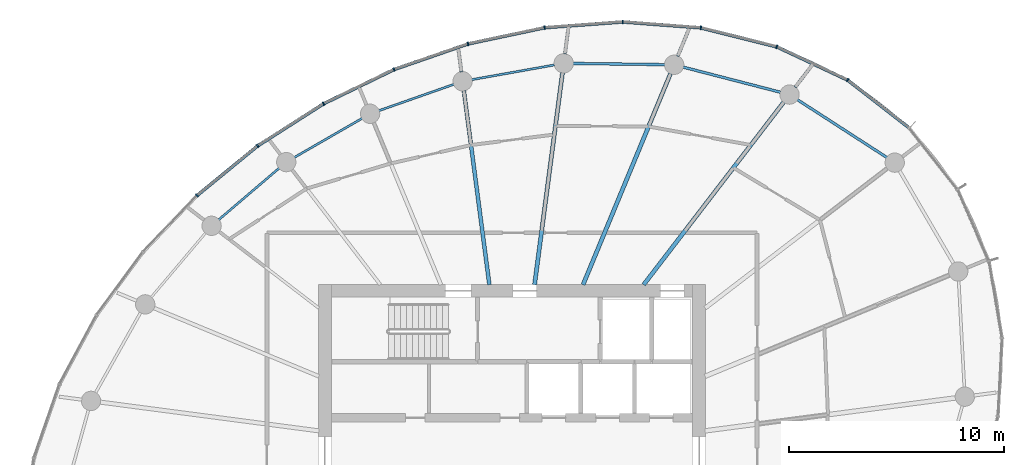
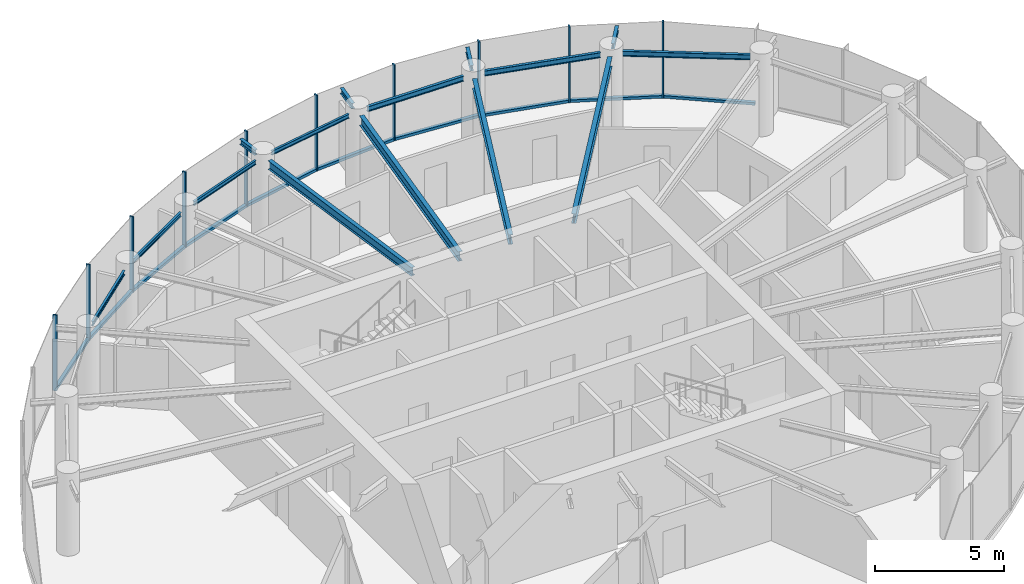
# One storey, part 6 of 14: 20 members, 15 beams, 2 elements without a shape of their own.
"""IFC4 building model written with IfcOpenShell, lengths in metres."""

import ifcopenshell
import ifcopenshell.guid

model = None  # the IFC model being written
_history = None  # IfcOwnerHistory: only IFC2X3 demands one
_inside = {}  # id of a spatial element -> (the spatial element, [elements in it])
_under = {}  # id of a project, library or spatial element -> (it, [spatial elements below it])
_declared = {}  # id of a project -> (the project, [libraries it declares])
_typed = {}  # id of a type object -> (the type object, [elements of that type])
_made_of = {}  # id of a material, layer set ... -> (it, [elements and type objects made of it])


def new_model(schema):
    """Start an empty IFC model of exactly this schema.

    Asked for "IFC4X3", IfcOpenShell would pick the latest addendum, in which some entities
    have other attributes; the version numbers below select the first issue.
    IFC2X3 requires an IfcOwnerHistory on every rooted entity: one is made here for all.
    """
    global model, _history
    if schema == "IFC4X3":
        model = ifcopenshell.file(schema_version=(4, 3, 0, 0))
    else:
        model = ifcopenshell.file(schema=schema)
    _inside.clear()
    _under.clear()
    _declared.clear()
    _typed.clear()
    _made_of.clear()
    _history = None
    if model.schema == "IFC2X3":
        org = make("IfcOrganization", Name="unknown")
        user = make(
            "IfcPersonAndOrganization",
            ThePerson=make("IfcPerson", FamilyName="unknown"),
            TheOrganization=org,
        )
        app = make(
            "IfcApplication",
            ApplicationDeveloper=org,
            Version="unknown",
            ApplicationFullName="unknown",
            ApplicationIdentifier="unknown",
        )
        _history = make(
            "IfcOwnerHistory",
            OwningUser=user,
            OwningApplication=app,
            ChangeAction="ADDED",
            CreationDate=0,
        )
    return model


def make(cls, **values):
    """One entity of the class cls with the attributes given. An attribute that is None is left unset."""
    return model.create_entity(
        cls, **{name: value for name, value in values.items() if value is not None}
    )


def rooted(cls, **values):
    """An entity with a GlobalId (a new one), such as an element, a storey or a relation."""
    return make(cls, GlobalId=ifcopenshell.guid.new(), OwnerHistory=_history, **values)


def si_unit(unit_type, name, prefix=None):
    """IfcSIUnit, for example si_unit("LENGTHUNIT", "METRE", prefix="MILLI")."""
    return make("IfcSIUnit", UnitType=unit_type, Prefix=prefix, Name=name)


def assignment(units):
    """IfcUnitAssignment: the units of a project."""
    return None if units is None else make("IfcUnitAssignment", Units=units)


def point(xyz):
    """IfcCartesianPoint."""
    return None if xyz is None else make("IfcCartesianPoint", Coordinates=xyz)


def direction(xyz):
    """IfcDirection."""
    return None if xyz is None else make("IfcDirection", DirectionRatios=xyz)


def frame(location, z_axis=None, x_axis=None):
    """IfcAxis2Placement3D, a coordinate frame: its origin and axes. An axis left out is left unset."""
    return make(
        "IfcAxis2Placement3D",
        Location=point(location),
        Axis=direction(z_axis),
        RefDirection=direction(x_axis),
    )


def frame_2d(location, x_axis=None):
    """IfcAxis2Placement2D, a coordinate frame in the plane: its origin and x axis."""
    return make(
        "IfcAxis2Placement2D", Location=point(location), RefDirection=direction(x_axis)
    )


def origin():
    """The frame at (0, 0, 0) with its axes left unset."""
    return frame((0.0, 0.0, 0.0))


def origin_2d():
    """The frame at (0, 0) in the plane with its x axis left unset."""
    return frame_2d((0.0, 0.0))


def place(relative_to, where):
    """IfcLocalPlacement: puts the frame where relative to a parent placement (None: the world)."""
    return make(
        "IfcLocalPlacement", PlacementRelTo=relative_to, RelativePlacement=where
    )


def context(
    kind, dimensions, precision=None, world=None, true_north=None, identifier=None
):
    """IfcGeometricRepresentationContext, for example the 3D "Model" context."""
    return make(
        "IfcGeometricRepresentationContext",
        ContextIdentifier=identifier,
        ContextType=kind,
        CoordinateSpaceDimension=dimensions,
        Precision=precision,
        WorldCoordinateSystem=world,
        TrueNorth=true_north,
    )


def subcontext(parent, identifier, kind, view, scale=None):
    """IfcGeometricRepresentationSubContext, for example "Body" below "Model"."""
    return make(
        "IfcGeometricRepresentationSubContext",
        ContextIdentifier=identifier,
        ContextType=kind,
        ParentContext=parent,
        TargetScale=scale,
        TargetView=view,
    )


def project(units=None, contexts=None):
    """IfcProject with its units and contexts."""
    return rooted(
        "IfcProject",
        Name="project",
        RepresentationContexts=contexts,
        UnitsInContext=assignment(units),
    )


def spatial(cls, under=None, at=None, **own):
    """A site, building, storey or space (cls), placed at a placement, below another one or the project."""
    s = rooted(cls, ObjectPlacement=at, **own)
    if under is not None:
        _under.setdefault(under.id(), (under, []))[1].append(s)
    return s


def profile(cls, at=None, kind="AREA", **sizes):
    """A parametric profile (cls). Its sizes go by their IFC names, for example OverallWidth=200.0."""
    return make(cls, ProfileType=kind, Position=at, **sizes)


def rectangle(**sizes):
    """IfcRectangleProfileDef."""
    return profile("IfcRectangleProfileDef", **sizes)


def i_section(**sizes):
    """IfcIShapeProfileDef."""
    return profile("IfcIShapeProfileDef", **sizes)


def extrude(swept, where, along, depth):
    """IfcExtrudedAreaSolid: the profile swept, set in the frame where, extruded along a direction by depth."""
    return make(
        "IfcExtrudedAreaSolid",
        SweptArea=swept,
        Position=where,
        ExtrudedDirection=direction(along),
        Depth=depth,
    )


def shape(context_of_items, identifier, shape_type, items):
    """IfcShapeRepresentation: the items that make up one representation, for example the "Body"."""
    return make(
        "IfcShapeRepresentation",
        ContextOfItems=context_of_items,
        RepresentationIdentifier=identifier,
        RepresentationType=shape_type,
        Items=items,
    )


def source(mapping_origin, context_of_items, identifier, shape_type, items):
    """IfcRepresentationMap: a shape defined once, which mapped items show again and again."""
    return make(
        "IfcRepresentationMap",
        MappingOrigin=mapping_origin,
        MappedRepresentation=shape(context_of_items, identifier, shape_type, items),
    )


def transform(
    local_origin,
    x_axis=None,
    y_axis=None,
    z_axis=None,
    scale=None,
    scale2=None,
    scale3=None,
    uniform=True,
):
    """IfcCartesianTransformationOperator3D, or its non-uniform kind. x_axis, y_axis, z_axis: its Axis1, 2, 3."""
    if uniform:
        return make(
            "IfcCartesianTransformationOperator3D",
            Axis1=direction(x_axis),
            Axis2=direction(y_axis),
            LocalOrigin=point(local_origin),
            Scale=scale,
            Axis3=direction(z_axis),
        )
    return make(
        "IfcCartesianTransformationOperator3DnonUniform",
        Axis1=direction(x_axis),
        Axis2=direction(y_axis),
        LocalOrigin=point(local_origin),
        Scale=scale,
        Axis3=direction(z_axis),
        Scale2=scale2,
        Scale3=scale3,
    )


def mapped(mapping_source, mapping_target):
    """IfcMappedItem: shows the shape of a source again, moved by a transform."""
    return make(
        "IfcMappedItem", MappingSource=mapping_source, MappingTarget=mapping_target
    )


def material(Name=None, Category=None):
    """IfcMaterial."""
    return make("IfcMaterial", Name=Name, Category=Category)


def layer(
    of_material, thickness, ventilated=None, Name=None, Category=None, Priority=None
):
    """IfcMaterialLayer: one layer of a wall or slab, of a material (None: an air gap)."""
    return make(
        "IfcMaterialLayer",
        Material=of_material,
        LayerThickness=thickness,
        IsVentilated=ventilated,
        Name=Name,
        Category=Category,
        Priority=Priority,
    )


def layer_set(layers, Name=None):
    """IfcMaterialLayerSet."""
    return make("IfcMaterialLayerSet", MaterialLayers=layers, LayerSetName=Name)


def material_profile(
    of_material, cross_section, Name=None, Category=None, Priority=None
):
    """IfcMaterialProfile: a cross section and its material."""
    return make(
        "IfcMaterialProfile",
        Name=Name,
        Material=of_material,
        Profile=cross_section,
        Priority=Priority,
        Category=Category,
    )


def profile_set(profiles, Name=None, composite=None):
    """IfcMaterialProfileSet."""
    return make(
        "IfcMaterialProfileSet",
        Name=Name,
        MaterialProfiles=profiles,
        CompositeProfile=composite,
    )


def made_of(thing, what):
    """Note that an element or type object is made of a material, layer set ...; save() writes the relation."""
    if what is not None:
        _made_of.setdefault(what.id(), (what, []))[1].append(thing)
    return thing


def type_object(cls, material=None, **own):
    """A type object (cls), such as IfcWallType, which elements share."""
    return made_of(rooted(cls, **own), material)


def element(
    cls,
    number,
    at=None,
    inside=None,
    cuts=None,
    type_object=None,
    material=None,
    context=None,
    identifier="Body",
    shape_type=None,
    held_by="IfcProductDefinitionShape",
    body=None,
    shapes=None,
    **own,
):
    """One element of the class cls, such as IfcWall. Its Tag is "e" and its number.

    at: its placement. inside: the storey or other place that contains it. cuts: it is an
    opening in that element (IfcRelVoidsElement). A single representation is given by context,
    identifier, shape_type and body (its items); several are given by shapes. held_by: the class
    of the entity that holds the representations. save() writes the other relations.
    """
    e = rooted(cls, Tag="e%d" % number, ObjectPlacement=at, **own)
    if body is not None:
        shapes = [shape(context, identifier, shape_type, body)]
    if shapes is not None:
        e.Representation = make(held_by, Representations=shapes)
    if inside is not None:
        _inside.setdefault(inside.id(), (inside, []))[1].append(e)
    if cuts is not None:
        rooted(
            "IfcRelVoidsElement", RelatingBuildingElement=cuts, RelatedOpeningElement=e
        )
    if type_object is not None:
        _typed.setdefault(type_object.id(), (type_object, []))[1].append(e)
    return made_of(e, material)


def aggregate(whole, parts):
    """IfcRelAggregates: a whole, such as a stair, and the parts it consists of."""
    return rooted("IfcRelAggregates", RelatingObject=whole, RelatedObjects=parts)


def save(model, path):
    """Write the relations noted so far, then the file.

    IfcRelAggregates (storeys below a building ...), IfcRelContainedInSpatialStructure (elements
    in a storey), IfcRelDefinesByType, IfcRelAssociatesMaterial and IfcRelDeclares: one each for
    every whole, place, type object, material and project.
    """
    for whole, parts in _under.values():
        aggregate(whole, parts)
    for where, things in _inside.values():
        rooted(
            "IfcRelContainedInSpatialStructure",
            RelatedElements=things,
            RelatingStructure=where,
        )
    for kind, things in _typed.values():
        rooted("IfcRelDefinesByType", RelatedObjects=things, RelatingType=kind)
    for what, things in _made_of.values():
        rooted("IfcRelAssociatesMaterial", RelatedObjects=things, RelatingMaterial=what)
    for by, libraries in _declared.values():
        rooted("IfcRelDeclares", RelatingContext=by, RelatedDefinitions=libraries)
    model.write(path)


model = new_model("IFC4")

# Units and contexts
model_context = context("Model", 3, precision=1e-05, world=origin(), true_north=direction((0.0, 1.0)))
body_context = subcontext(model_context, "Body", "Model", "MODEL_VIEW")
ifc_project = project(units=[si_unit("LENGTHUNIT", "METRE"), si_unit("AREAUNIT", "SQUARE_METRE"), si_unit("VOLUMEUNIT", "CUBIC_METRE"), si_unit("PLANEANGLEUNIT", "RADIAN"), si_unit("MASSUNIT", "GRAM", prefix="KILO")], contexts=[model_context])

# Site, building, storey
site_placement = place(None, origin())
site = spatial("IfcSite", under=ifc_project, at=site_placement, CompositionType="ELEMENT")
building_placement = place(site_placement, origin())
building = spatial("IfcBuilding", under=site, at=building_placement, Name="Spindrift Exchange Tower", CompositionType="ELEMENT")
storey_placement = place(building_placement, frame((0.0, 0.0, 207.199951171875)))
storey = spatial("IfcBuildingStorey", under=building, at=storey_placement, Name="L50", CompositionType="ELEMENT", Elevation=207.199951171875)

# Beams
ifc_material_1 = material(Name="Steel Grade 300", Category="steel")
ifc_material_profile_1 = material_profile(ifc_material_1, i_section(OverallWidth=0.18994140625, OverallDepth=0.4541015625, WebThickness=0.008544921875, FlangeThickness=0.0126953125, FilletRadius=0.013916015625, at=origin_2d()), Name="460UB67.1")
ifc_profile_set_1 = profile_set([ifc_material_profile_1], Name="Steel Grade 300")
beam_type_1 = type_object("IfcBeamType", Name="Floor Beam 460UB67.1 Steel Grade 300", PredefinedType="BEAM", material=ifc_profile_set_1)
shared_shape_1 = source(origin(), body_context, "Body", "SweptSolid", [
    extrude(i_section(OverallWidth=0.18994140625, OverallDepth=0.4541015625, WebThickness=0.008544921875, FlangeThickness=0.0126953125, FilletRadius=0.013916015625, at=origin_2d()), origin(), (0.0, 0.0, 1.0), 10.711181640625),
])
beam_1_placement = place(storey_placement, frame((58.12646484375, 55.984130859375, 3.35302734375), z_axis=(0.608756401092, 0.793357198322, 0.0), x_axis=(-0.793357198322, 0.608756401092, 0.0)))
element("IfcBeam", 1, at=beam_1_placement, inside=storey, type_object=beam_type_1, Name="L50 radial beam R04A", PredefinedType="BEAM", context=body_context, shape_type="MappedRepresentation", body=[
    mapped(shared_shape_1, transform((0.0, 0.0, 0.0), scale=1.0)),
])
shared_shape_2 = source(origin(), body_context, "Body", "SweptSolid", [
    extrude(i_section(OverallWidth=0.18994140625, OverallDepth=0.4541015625, WebThickness=0.008544921875, FlangeThickness=0.0126953125, FilletRadius=0.013916015625, at=origin_2d()), origin(), (0.0, 0.0, 1.0), 10.64111328125),
])
beam_2_placement = place(storey_placement, frame((55.30615234375, 55.9814453125, 3.35302734375), z_axis=(0.382672627597, 0.923884007919, 0.0), x_axis=(-0.923884007919, 0.382672627597, 0.0)))
element("IfcBeam", 2, at=beam_2_placement, inside=storey, type_object=beam_type_1, Name="L50 radial beam R05A", PredefinedType="BEAM", context=body_context, shape_type="MappedRepresentation", body=[
    mapped(shared_shape_2, transform((0.0, 0.0, 0.0), scale=1.0)),
])
shared_shape_3 = source(origin(), body_context, "Body", "SweptSolid", [
    extrude(i_section(OverallWidth=0.18994140625, OverallDepth=0.4541015625, WebThickness=0.008544921875, FlangeThickness=0.0126953125, FilletRadius=0.013916015625, at=origin_2d()), origin(), (0.0, 0.0, 1.0), 9.95703125),
])
beam_3_placement = place(storey_placement, frame((53.050537109375, 55.980224609375, 3.35302734375), z_axis=(0.130541406635, 0.991442858239, 0.0), x_axis=(-0.991442858239, 0.130541406635, 0.0)))
element("IfcBeam", 3, at=beam_3_placement, inside=storey, type_object=beam_type_1, Name="L50 radial beam R06A", PredefinedType="BEAM", context=body_context, shape_type="MappedRepresentation", body=[
    mapped(shared_shape_3, transform((0.0, 0.0, 0.0), scale=1.0)),
])
ifc_material_profile_2 = material_profile(ifc_material_1, i_section(OverallWidth=0.177978515625, OverallDepth=0.403076171875, WebThickness=0.007568359375, FlangeThickness=0.010986328125, FilletRadius=0.013916015625, at=origin_2d()), Name="410UB53.7")
ifc_profile_set_2 = profile_set([ifc_material_profile_2], Name="Steel Grade 300")
beam_type_2 = type_object("IfcBeamType", Name="Floor Beam 410UB53.7 Steel Grade 300", PredefinedType="BEAM", material=ifc_profile_set_2)
shared_shape_4 = source(origin(), body_context, "Body", "SweptSolid", [
    extrude(i_section(OverallWidth=0.177978515625, OverallDepth=0.403076171875, WebThickness=0.007568359375, FlangeThickness=0.010986328125, FilletRadius=0.013916015625, at=origin_2d()), origin(), (0.0, 0.0, 1.0), 9.11376953125),
])
beam_4_placement = place(storey_placement, frame((50.949462890625, 55.980224609375, 3.378662109375), z_axis=(-0.130536972606, 0.991443442049, 0.0), x_axis=(-0.991443442049, -0.130536972606, 0.0)))
element("IfcBeam", 4, at=beam_4_placement, inside=storey, type_object=beam_type_2, Name="L50 radial beam R07A", PredefinedType="BEAM", context=body_context, shape_type="MappedRepresentation", body=[
    mapped(shared_shape_4, transform((0.0, 0.0, 0.0), scale=1.0)),
])
ifc_material_profile_3 = material_profile(ifc_material_1, i_section(OverallWidth=0.1240234375, OverallDepth=0.248046875, WebThickness=0.0048828125, FlangeThickness=0.008056640625, FilletRadius=0.011962890625, at=origin_2d()), Name="250UB25.7")
ifc_profile_set_3 = profile_set([ifc_material_profile_3], Name="Steel Grade 300")
beam_type_3 = type_object("IfcBeamType", Name="Edge Beam 250UB25.7 Steel Grade 300", PredefinedType="SPANDREL", material=ifc_profile_set_3)
shared_shape_5 = source(origin(), body_context, "Body", "SweptSolid", [
    extrude(i_section(OverallWidth=0.1240234375, OverallDepth=0.248046875, WebThickness=0.0048828125, FlangeThickness=0.008056640625, FilletRadius=0.011962890625, at=origin_2d()), origin(), (0.0, 0.0, 1.0), 4.966552734375),
])
beam_5_placement = place(storey_placement, frame((69.44091796875, 61.893310546875, 3.4560546875), z_axis=(-0.839802198579, 0.54289250065, 0.0), x_axis=(-0.54289250065, -0.839802198579, 0.0)))
element("IfcBeam", 5, at=beam_5_placement, inside=storey, type_object=beam_type_3, Name="L50 edge beam E03", PredefinedType="SPANDREL", context=body_context, shape_type="MappedRepresentation", body=[
    mapped(shared_shape_5, transform((0.0, 0.0, 0.0), scale=1.0)),
])
shared_shape_6 = source(origin(), body_context, "Body", "SweptSolid", [
    extrude(i_section(OverallWidth=0.1240234375, OverallDepth=0.248046875, WebThickness=0.0048828125, FlangeThickness=0.008056640625, FilletRadius=0.011962890625, at=origin_2d()), origin(), (0.0, 0.0, 1.0), 4.682373046875),
])
beam_6_placement = place(storey_placement, frame((64.492431640625, 64.9306640625, 3.4560546875), z_axis=(-0.968201586176, 0.250171318352, 0.0), x_axis=(-0.250171318352, -0.968201586176, 0.0)))
element("IfcBeam", 6, at=beam_6_placement, inside=storey, type_object=beam_type_3, Name="L50 edge beam E04", PredefinedType="SPANDREL", context=body_context, shape_type="MappedRepresentation", body=[
    mapped(shared_shape_6, transform((0.0, 0.0, 0.0), scale=1.0)),
])
shared_shape_7 = source(origin(), body_context, "Body", "SweptSolid", [
    extrude(i_section(OverallWidth=0.1240234375, OverallDepth=0.248046875, WebThickness=0.0048828125, FlangeThickness=0.008056640625, FilletRadius=0.011962890625, at=origin_2d()), origin(), (0.0, 0.0, 1.0), 4.27685546875),
])
beam_7_placement = place(storey_placement, frame((59.11279296875, 66.21533203125, 3.4560546875), z_axis=(-0.999910013527, 0.013415097807, 0.0), x_axis=(-0.013415097807, -0.999910013527, 0.0)))
element("IfcBeam", 7, at=beam_7_placement, inside=storey, type_object=beam_type_3, Name="L50 edge beam E05", PredefinedType="SPANDREL", context=body_context, shape_type="MappedRepresentation", body=[
    mapped(shared_shape_7, transform((0.0, 0.0, 0.0), scale=1.0)),
])
ifc_material_profile_4 = material_profile(ifc_material_1, i_section(OverallWidth=0.09912109375, OverallDepth=0.197998046875, WebThickness=0.00439453125, FlangeThickness=0.007080078125, FilletRadius=0.010986328125, at=origin_2d()), Name="200UB18.2")
ifc_profile_set_4 = profile_set([ifc_material_profile_4], Name="Steel Grade 300")
beam_type_4 = type_object("IfcBeamType", Name="Edge Beam 200UB18.2 Steel Grade 300", PredefinedType="SPANDREL", material=ifc_profile_set_4)
shared_shape_8 = source(origin(), body_context, "Body", "SweptSolid", [
    extrude(i_section(OverallWidth=0.09912109375, OverallDepth=0.197998046875, WebThickness=0.00439453125, FlangeThickness=0.007080078125, FilletRadius=0.010986328125, at=origin_2d()), origin(), (0.0, 0.0, 1.0), 3.916259765625),
])
beam_8_placement = place(storey_placement, frame((53.98291015625, 66.203125, 3.48095703125), z_axis=(-0.984558687682, -0.175054821441, 0.0), x_axis=(0.175054821441, -0.984558687682, 0.0)))
element("IfcBeam", 8, at=beam_8_placement, inside=storey, type_object=beam_type_4, Name="L50 edge beam E06", PredefinedType="SPANDREL", context=body_context, shape_type="MappedRepresentation", body=[
    mapped(shared_shape_8, transform((0.0, 0.0, 0.0), scale=1.0)),
])
shared_shape_9 = source(origin(), body_context, "Body", "SweptSolid", [
    extrude(i_section(OverallWidth=0.09912109375, OverallDepth=0.197998046875, WebThickness=0.00439453125, FlangeThickness=0.007080078125, FilletRadius=0.010986328125, at=origin_2d()), origin(), (0.0, 0.0, 1.0), 3.700439453125),
])
beam_9_placement = place(storey_placement, frame((49.298095703125, 65.300048828125, 3.48095703125), z_axis=(-0.943515334916, -0.331328858957, 0.0), x_axis=(0.331328858957, -0.943515334916, 0.0)))
element("IfcBeam", 9, at=beam_9_placement, inside=storey, type_object=beam_type_4, Name="L50 edge beam E07", PredefinedType="SPANDREL", context=body_context, shape_type="MappedRepresentation", body=[
    mapped(shared_shape_9, transform((0.0, 0.0, 0.0), scale=1.0)),
])
shared_shape_10 = source(origin(), body_context, "Body", "SweptSolid", [
    extrude(i_section(OverallWidth=0.09912109375, OverallDepth=0.197998046875, WebThickness=0.00439453125, FlangeThickness=0.007080078125, FilletRadius=0.010986328125, at=origin_2d()), origin(), (0.0, 0.0, 1.0), 3.64208984375),
])
beam_10_placement = place(storey_placement, frame((45.028564453125, 63.716552734375, 3.48095703125), z_axis=(-0.866364093123, -0.499412913476, 0.0), x_axis=(0.499412913476, -0.866364093123, 0.0)))
element("IfcBeam", 10, at=beam_10_placement, inside=storey, type_object=beam_type_4, Name="L50 edge beam E08", PredefinedType="SPANDREL", context=body_context, shape_type="MappedRepresentation", body=[
    mapped(shared_shape_10, transform((0.0, 0.0, 0.0), scale=1.0)),
])
shared_shape_11 = source(origin(), body_context, "Body", "SweptSolid", [
    extrude(i_section(OverallWidth=0.09912109375, OverallDepth=0.197998046875, WebThickness=0.00439453125, FlangeThickness=0.007080078125, FilletRadius=0.010986328125, at=origin_2d()), origin(), (0.0, 0.0, 1.0), 3.703857421875),
])
beam_11_placement = place(storey_placement, frame((41.173583984375, 61.40380859375, 3.48095703125), z_axis=(-0.7606692863, -0.64913961278, 0.0), x_axis=(0.64913961278, -0.7606692863, 0.0)))
element("IfcBeam", 11, at=beam_11_placement, inside=storey, type_object=beam_type_4, Name="L50 edge beam E09", PredefinedType="SPANDREL", context=body_context, shape_type="MappedRepresentation", body=[
    mapped(shared_shape_11, transform((0.0, 0.0, 0.0), scale=1.0)),
])
ifc_material_profile_5 = material_profile(ifc_material_1, i_section(OverallWidth=0.14599609375, OverallDepth=0.251953125, WebThickness=0.006103515625, FlangeThickness=0.008544921875, FilletRadius=0.011962890625, at=origin_2d()), Name="250UB31.4")
ifc_profile_set_5 = profile_set([ifc_material_profile_5], Name="Steel Grade 300")
beam_type_5 = type_object("IfcBeamType", Name="Cantilever Beam 250UB31.4 Steel Grade 300", PredefinedType="BEAM", material=ifc_profile_set_5)
shared_shape_12 = source(origin(), body_context, "Body", "SweptSolid", [
    extrude(i_section(OverallWidth=0.14599609375, OverallDepth=0.251953125, WebThickness=0.006103515625, FlangeThickness=0.008544921875, FilletRadius=0.011962890625, at=origin_2d()), origin(), (0.0, 0.0, 1.0), 1.241455078125),
])
beam_12_placement = place(storey_placement, frame((65.170654296875, 65.164306640625, 3.4541015625), z_axis=(0.608712274702, 0.793391055298, 0.0), x_axis=(-0.793391055298, 0.608712274702, 0.0)))
element("IfcBeam", 12, at=beam_12_placement, inside=storey, type_object=beam_type_5, Name="L50 cantilever beam R04T", PredefinedType="BEAM", context=body_context, shape_type="MappedRepresentation", body=[
    mapped(shared_shape_12, transform((0.0, 0.0, 0.0), scale=1.0)),
])
shared_shape_13 = source(origin(), body_context, "Body", "SweptSolid", [
    extrude(i_section(OverallWidth=0.14599609375, OverallDepth=0.251953125, WebThickness=0.006103515625, FlangeThickness=0.008544921875, FilletRadius=0.011962890625, at=origin_2d()), origin(), (0.0, 0.0, 1.0), 1.282958984375),
])
beam_13_placement = place(storey_placement, frame((59.707275390625, 66.60693359375, 3.4541015625), z_axis=(0.382682320503, 0.923879993059, 0.0), x_axis=(-0.923879993059, 0.382682320503, 0.0)))
element("IfcBeam", 13, at=beam_13_placement, inside=storey, type_object=beam_type_5, Name="L50 cantilever beam R05T", PredefinedType="BEAM", context=body_context, shape_type="MappedRepresentation", body=[
    mapped(shared_shape_13, transform((0.0, 0.0, 0.0), scale=1.0)),
])
shared_shape_14 = source(origin(), body_context, "Body", "SweptSolid", [
    extrude(i_section(OverallWidth=0.14599609375, OverallDepth=0.251953125, WebThickness=0.006103515625, FlangeThickness=0.008544921875, FilletRadius=0.011962890625, at=origin_2d()), origin(), (0.0, 0.0, 1.0), 1.15380859375),
])
beam_14_placement = place(storey_placement, frame((54.46240234375, 66.70458984375, 3.4541015625), z_axis=(0.130542080409, 0.991442769525, 0.0), x_axis=(-0.991442769525, 0.130542080409, 0.0)))
element("IfcBeam", 14, at=beam_14_placement, inside=storey, type_object=beam_type_5, Name="L50 cantilever beam R06T", PredefinedType="BEAM", context=body_context, shape_type="MappedRepresentation", body=[
    mapped(shared_shape_14, transform((0.0, 0.0, 0.0), scale=1.0)),
])
shared_shape_15 = source(origin(), body_context, "Body", "SweptSolid", [
    extrude(i_section(OverallWidth=0.14599609375, OverallDepth=0.251953125, WebThickness=0.006103515625, FlangeThickness=0.008544921875, FilletRadius=0.011962890625, at=origin_2d()), origin(), (0.0, 0.0, 1.0), 0.9619140625),
])
beam_15_placement = place(storey_placement, frame((49.6474609375, 65.868896484375, 3.4541015625), z_axis=(-0.130467644579, 0.991452567558, 0.0), x_axis=(-0.991452567558, -0.130467644579, 0.0)))
element("IfcBeam", 15, at=beam_15_placement, inside=storey, type_object=beam_type_5, Name="L50 cantilever beam R07T", PredefinedType="BEAM", context=body_context, shape_type="MappedRepresentation", body=[
    mapped(shared_shape_15, transform((0.0, 0.0, 0.0), scale=1.0)),
])

# Curtain wall, members
ifc_material_2 = material(Name="Fritted laminated glass with bronze frame", Category="glass")
ifc_layer = layer(ifc_material_2, 0.169921875)
ifc_layer_set = layer_set([ifc_layer], Name="ZONE 4 BRONZE FRITTED WALL")
curtain_wall_type = type_object("IfcCurtainWallType", Name="ZONE 4 BRONZE FRITTED WALL", PredefinedType="NOTDEFINED", material=ifc_layer_set)
curtain_wall_1_placement = place(storey_placement, origin())
curtain_wall_1 = element("IfcCurtainWall", 16, at=curtain_wall_1_placement, inside=storey, type_object=curtain_wall_type, Name="L50 Zone 4 Bronze Fritted Wall run 2", PredefinedType="NOTDEFINED")
ifc_material_3 = material(Name="Bronze anodised aluminium", Category="aluminium")
ifc_material_profile_6 = material_profile(ifc_material_3, rectangle(XDim=0.14990234375, YDim=0.125, at=origin_2d()), Name="ZONE 4 BRONZE FRITTED WALL TRANSOM 150X125")
ifc_profile_set_6 = profile_set([ifc_material_profile_6], Name="Bronze anodised aluminium")
member_type_1 = type_object("IfcMemberType", Name="ZONE 4 BRONZE FRITTED WALL TRANSOM 150X125", PredefinedType="USERDEFINED", material=ifc_profile_set_6)
shared_shape_16 = source(origin(), body_context, "Body", "SweptSolid", [
    extrude(rectangle(XDim=0.14990234375, YDim=0.125, at=origin_2d()), origin(), (0.0, 0.0, 1.0), 3.57763671875),
])
member_1_placement = place(storey_placement, frame((49.925537109375, 67.174072265625, 0.0625), z_axis=(-0.944905726634, -0.327342584723, 0.0), x_axis=(0.327342584723, -0.944905726634, 0.0)))
member_1 = element("IfcMember", 17, at=member_1_placement, type_object=member_type_1, Name="L50 transom CW-4.8", ObjectType="TRANSOM", PredefinedType="USERDEFINED", context=body_context, shape_type="MappedRepresentation", body=[
    mapped(shared_shape_16, transform((0.0, 0.0, 0.0), scale=1.0)),
])
member_2_placement = place(storey_placement, frame((40.143310546875, 62.417724609375, 0.0625), z_axis=(-0.773768761477, -0.633468155286, 0.0), x_axis=(0.633468155286, -0.773768761477, 0.0)))
member_2 = element("IfcMember", 18, at=member_2_placement, type_object=member_type_1, Name="L50 transom CW-4.11", ObjectType="TRANSOM", PredefinedType="USERDEFINED", context=body_context, shape_type="MappedRepresentation", body=[
    mapped(shared_shape_16, transform((0.0, 0.0, 0.0), scale=1.0)),
])
shared_shape_17 = source(origin(), body_context, "Body", "SweptSolid", [
    extrude(rectangle(XDim=0.14990234375, YDim=0.125, at=origin_2d()), origin(), (0.0, 0.0, 1.0), 3.577880859375),
])
member_3_placement = place(storey_placement, frame((46.485107421875, 65.97802734375, 0.0625), z_axis=(-0.899433057452, -0.437058548895, 0.0), x_axis=(0.437058548895, -0.899433057452, 0.0)))
member_3 = element("IfcMember", 19, at=member_3_placement, type_object=member_type_1, Name="L50 transom CW-4.9", ObjectType="TRANSOM", PredefinedType="USERDEFINED", context=body_context, shape_type="MappedRepresentation", body=[
    mapped(shared_shape_17, transform((0.0, 0.0, 0.0), scale=1.0)),
])
member_4_placement = place(storey_placement, frame((43.21044921875, 64.3828125, 0.0625), z_axis=(-0.842572404044, -0.538583089174, 0.0), x_axis=(0.538583089174, -0.842572404044, 0.0)))
member_4 = element("IfcMember", 20, at=member_4_placement, type_object=member_type_1, Name="L50 transom CW-4.10", ObjectType="TRANSOM", PredefinedType="USERDEFINED", context=body_context, shape_type="MappedRepresentation", body=[
    mapped(shared_shape_17, transform((0.0, 0.0, 0.0), scale=1.0)),
])
shared_shape_18 = source(origin(), body_context, "Body", "SweptSolid", [
    extrude(rectangle(XDim=0.14990234375, YDim=0.125, at=origin_2d()), origin(), (0.0, 0.0, 1.0), 3.577392578125),
])
member_5_placement = place(storey_placement, frame((53.48779296875, 67.93212890625, 0.0625), z_axis=(-0.978327640943, -0.207062857525, 0.0), x_axis=(0.207062857525, -0.978327640943, 0.0)))
member_5 = element("IfcMember", 21, at=member_5_placement, type_object=member_type_1, Name="L50 transom CW-4.7", ObjectType="TRANSOM", PredefinedType="USERDEFINED", context=body_context, shape_type="MappedRepresentation", body=[
    mapped(shared_shape_18, transform((0.0, 0.0, 0.0), scale=1.0)),
])

curtain_wall_2_placement = place(storey_placement, origin())
curtain_wall_2 = element("IfcCurtainWall", 22, at=curtain_wall_2_placement, inside=storey, type_object=curtain_wall_type, Name="L50 Zone 4 Bronze Fritted Wall run 1", PredefinedType="NOTDEFINED")
ifc_material_profile_7 = material_profile(ifc_material_3, rectangle(XDim=0.06494140625, YDim=0.169921875, at=origin_2d()), Name="ZONE 4 BRONZE FRITTED WALL MULLION 65X170")
ifc_profile_set_7 = profile_set([ifc_material_profile_7], Name="Bronze anodised aluminium")
member_type_2 = type_object("IfcMemberType", Name="ZONE 4 BRONZE FRITTED WALL MULLION 65X170", PredefinedType="MULLION", material=ifc_profile_set_7)
shared_shape_19 = source(origin(), body_context, "Body", "SweptSolid", [
    extrude(rectangle(XDim=0.06494140625, YDim=0.169921875, at=origin_2d()), origin(), (0.0, 0.0, 1.0), 3.580078125),
])
member_6_placement = place(storey_placement, frame((67.607177734375, 65.50390625, 0.0), z_axis=(0.0, 0.0, 1.0), x_axis=(-0.852724010712, 0.522361715247, 0.0)))
member_6 = element("IfcMember", 23, at=member_6_placement, type_object=member_type_2, Name="L50 mullion CW-4.3", PredefinedType="MULLION", context=body_context, shape_type="MappedRepresentation", body=[
    mapped(shared_shape_19, transform((0.0, 0.0, 0.0), scale=1.0)),
])
member_7_placement = place(storey_placement, frame((64.313720703125, 67.050048828125, 0.0), z_axis=(0.0, 0.0, 1.0), x_axis=(-0.942124269775, 0.33526386668, 0.0)))
member_7 = element("IfcMember", 24, at=member_7_placement, type_object=member_type_2, Name="L50 mullion CW-4.4", PredefinedType="MULLION", context=body_context, shape_type="MappedRepresentation", body=[
    mapped(shared_shape_19, transform((0.0, 0.0, 0.0), scale=1.0)),
])
member_8_placement = place(storey_placement, frame((60.7822265625, 67.932373046875, 0.0), z_axis=(0.0, 0.0, 1.0), x_axis=(-0.987190767249, 0.159544316911, 0.0)))
member_8 = element("IfcMember", 25, at=member_8_placement, type_object=member_type_2, Name="L50 mullion CW-4.5", PredefinedType="MULLION", context=body_context, shape_type="MappedRepresentation", body=[
    mapped(shared_shape_19, transform((0.0, 0.0, 0.0), scale=1.0)),
])
member_9_placement = place(storey_placement, frame((57.151611328125, 68.20751953125, 0.0), z_axis=(0.0, 0.0, 1.0), x_axis=(-0.999999580471, 0.000916000622, 0.0)))
member_9 = element("IfcMember", 26, at=member_9_placement, type_object=member_type_2, Name="L50 mullion CW-4.6", PredefinedType="MULLION", context=body_context, shape_type="MappedRepresentation", body=[
    mapped(shared_shape_19, transform((0.0, 0.0, 0.0), scale=1.0)),
])

# Member
member_10_placement = place(storey_placement, frame((53.519775390625, 67.93896484375, 0.0), z_axis=(0.0, 0.0, 1.0), x_axis=(-0.990048214499, -0.140728579069, 0.0)))
member_10 = element("IfcMember", 27, at=member_10_placement, type_object=member_type_2, Name="L50 mullion CW-4.7", PredefinedType="MULLION", context=body_context, shape_type="MappedRepresentation", body=[
    mapped(shared_shape_19, transform((0.0, 0.0, 0.0), scale=1.0)),
])

member_11_placement = place(storey_placement, frame((49.956298828125, 67.1845703125, 0.0), z_axis=(0.0, 0.0, 1.0), x_axis=(-0.963495334577, -0.267725120691, 0.0)))
member_11 = element("IfcMember", 28, at=member_11_placement, type_object=member_type_2, Name="L50 mullion CW-4.8", PredefinedType="MULLION", context=body_context, shape_type="MappedRepresentation", body=[
    mapped(shared_shape_19, transform((0.0, 0.0, 0.0), scale=1.0)),
])

member_12_placement = place(storey_placement, frame((46.514404296875, 65.9921875, 0.0), z_axis=(0.0, 0.0, 1.0), x_axis=(-0.923806847935, -0.382858861343, 0.0)))
member_12 = element("IfcMember", 29, at=member_12_placement, type_object=member_type_2, Name="L50 mullion CW-4.9", PredefinedType="MULLION", context=body_context, shape_type="MappedRepresentation", body=[
    mapped(shared_shape_19, transform((0.0, 0.0, 0.0), scale=1.0)),
])

member_13_placement = place(storey_placement, frame((43.23779296875, 64.400146484375, 0.0), z_axis=(0.0, 0.0, 1.0), x_axis=(-0.872479420623, -0.488650857556, 0.0)))
member_13 = element("IfcMember", 30, at=member_13_placement, type_object=member_type_2, Name="L50 mullion CW-4.10", PredefinedType="MULLION", context=body_context, shape_type="MappedRepresentation", body=[
    mapped(shared_shape_19, transform((0.0, 0.0, 0.0), scale=1.0)),
])

member_14_placement = place(storey_placement, frame((40.16845703125, 62.438232421875, 0.0), z_axis=(0.0, 0.0, 1.0), x_axis=(-0.809564430533, -0.587031032243, 0.0)))
member_14 = element("IfcMember", 31, at=member_14_placement, type_object=member_type_2, Name="L50 mullion CW-4.11", PredefinedType="MULLION", context=body_context, shape_type="MappedRepresentation", body=[
    mapped(shared_shape_19, transform((0.0, 0.0, 0.0), scale=1.0)),
])

member_15_placement = place(storey_placement, frame((37.349853515625, 60.130615234375, 0.0), z_axis=(0.0, 0.0, 1.0), x_axis=(-0.73392824111, -0.67922701426, 0.0)))
member_15 = element("IfcMember", 32, at=member_15_placement, type_object=member_type_2, Name="L50 mullion CW-4.12", PredefinedType="MULLION", context=body_context, shape_type="MappedRepresentation", body=[
    mapped(shared_shape_19, transform((0.0, 0.0, 0.0), scale=1.0)),
])

aggregate(curtain_wall_1, [member_10, member_5, member_11, member_1, member_12, member_3, member_13, member_4, member_14, member_2, member_15])

shared_shape_20 = source(origin(), body_context, "Body", "SweptSolid", [
    extrude(rectangle(XDim=0.14990234375, YDim=0.125, at=origin_2d()), origin(), (0.0, 0.0, 1.0), 3.576904296875),
])
member_16_placement = place(storey_placement, frame((57.119140625, 68.205078125, 0.0625), z_axis=(-0.997279288886, -0.073715805352, 0.0), x_axis=(0.073715805352, -0.997279288886, 0.0)))
member_16 = element("IfcMember", 33, at=member_16_placement, type_object=member_type_1, Name="L50 transom CW-4.6", ObjectType="TRANSOM", PredefinedType="USERDEFINED", context=body_context, shape_type="MappedRepresentation", body=[
    mapped(shared_shape_20, transform((0.0, 0.0, 0.0), scale=1.0)),
])

shared_shape_21 = source(origin(), body_context, "Body", "SweptSolid", [
    extrude(rectangle(XDim=0.14990234375, YDim=0.125, at=origin_2d()), origin(), (0.0, 0.0, 1.0), 3.571533203125),
])
member_17_placement = place(storey_placement, frame((70.45361328125, 63.293212890625, 0.0625), z_axis=(-0.789797382164, 0.613367830202, 0.0), x_axis=(-0.613367830202, -0.789797382164, 0.0)))
member_17 = element("IfcMember", 34, at=member_17_placement, type_object=member_type_1, Name="L50 transom CW-4.2", ObjectType="TRANSOM", PredefinedType="USERDEFINED", context=body_context, shape_type="MappedRepresentation", body=[
    mapped(shared_shape_21, transform((0.0, 0.0, 0.0), scale=1.0)),
])

shared_shape_22 = source(origin(), body_context, "Body", "SweptSolid", [
    extrude(rectangle(XDim=0.14990234375, YDim=0.125, at=origin_2d()), origin(), (0.0, 0.0, 1.0), 3.5732421875),
])
member_18_placement = place(storey_placement, frame((67.57763671875, 65.517578125, 0.0625), z_axis=(-0.905208516973, 0.424967693831, 0.0), x_axis=(-0.424967693831, -0.905208516973, 0.0)))
member_18 = element("IfcMember", 35, at=member_18_placement, type_object=member_type_1, Name="L50 transom CW-4.3", ObjectType="TRANSOM", PredefinedType="USERDEFINED", context=body_context, shape_type="MappedRepresentation", body=[
    mapped(shared_shape_22, transform((0.0, 0.0, 0.0), scale=1.0)),
])

shared_shape_23 = source(origin(), body_context, "Body", "SweptSolid", [
    extrude(rectangle(XDim=0.14990234375, YDim=0.125, at=origin_2d()), origin(), (0.0, 0.0, 1.0), 3.576171875),
])
member_19_placement = place(storey_placement, frame((60.75, 67.934814453125, 0.0625), z_axis=(-0.997145336542, 0.075506144202, 0.0), x_axis=(-0.075506144202, -0.997145336542, 0.0)))
member_19 = element("IfcMember", 36, at=member_19_placement, type_object=member_type_1, Name="L50 transom CW-4.5", ObjectType="TRANSOM", PredefinedType="USERDEFINED", context=body_context, shape_type="MappedRepresentation", body=[
    mapped(shared_shape_23, transform((0.0, 0.0, 0.0), scale=1.0)),
])

shared_shape_24 = source(origin(), body_context, "Body", "SweptSolid", [
    extrude(rectangle(XDim=0.14990234375, YDim=0.125, at=origin_2d()), origin(), (0.0, 0.0, 1.0), 3.5751953125),
])
member_20_placement = place(storey_placement, frame((64.2822265625, 67.057861328125, 0.0625), z_axis=(-0.970186671265, 0.242358872128, 0.0), x_axis=(-0.242358872128, -0.970186671265, 0.0)))
member_20 = element("IfcMember", 37, at=member_20_placement, type_object=member_type_1, Name="L50 transom CW-4.4", ObjectType="TRANSOM", PredefinedType="USERDEFINED", context=body_context, shape_type="MappedRepresentation", body=[
    mapped(shared_shape_24, transform((0.0, 0.0, 0.0), scale=1.0)),
])

aggregate(curtain_wall_2, [member_17, member_6, member_18, member_7, member_20, member_8, member_19, member_9, member_16])

save(model, "model.ifc")
